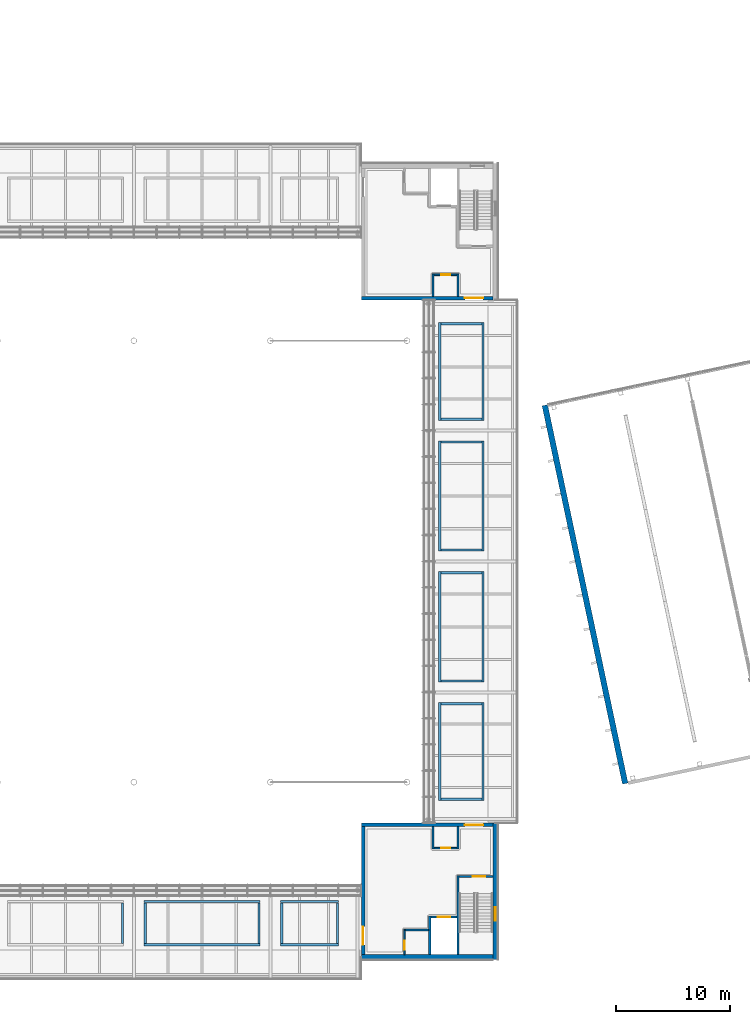
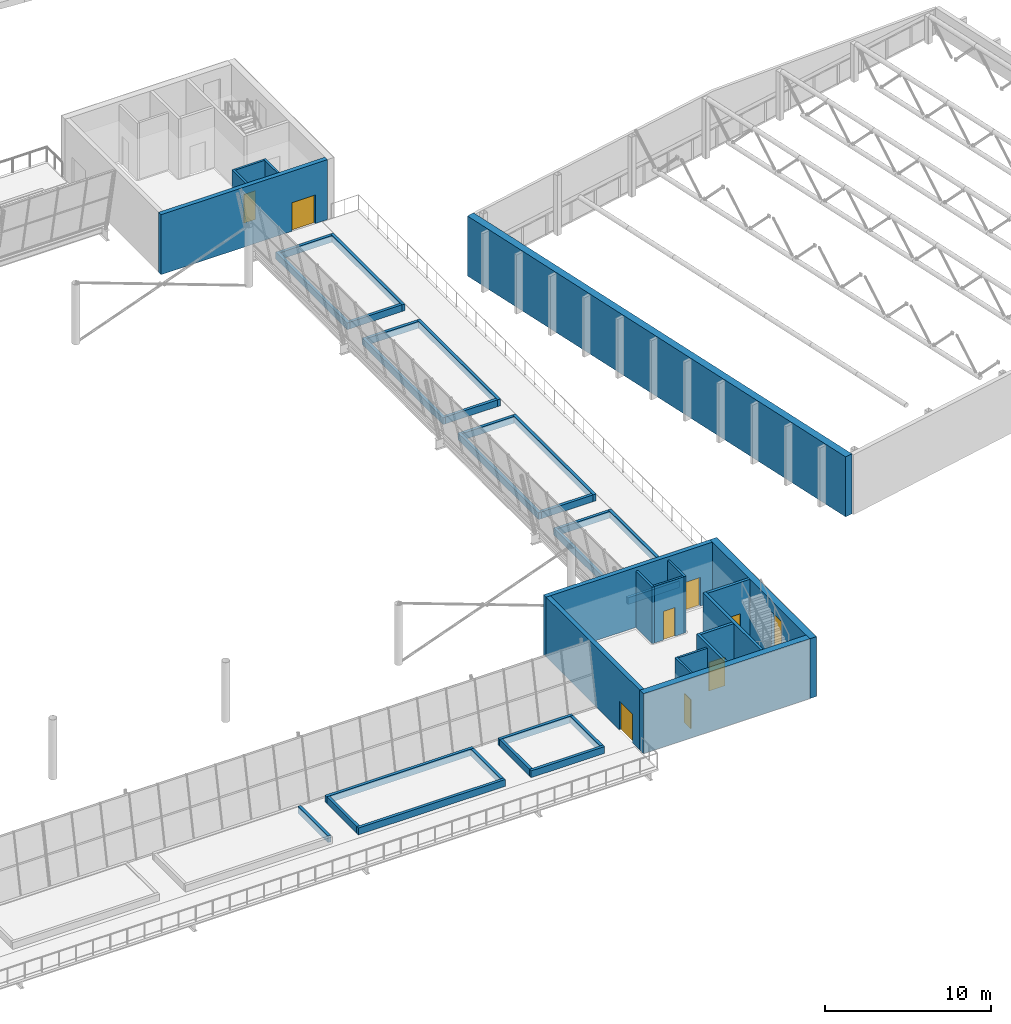
# One storey, part 33 of 58: 43 walls, 8 doors, 1 window, 9 openings.
"""IFC4 building model written with IfcOpenShell, lengths in metres."""

from ifc_helpers import new_model, si_unit, direction, frame, frame_2d, origin, place, context, subcontext, project, spatial, rectangle, extrude, material, layer, layer_set, type_object, element, fill, save


model = new_model("IFC4")

# Units and contexts
model_context = context("Model", 3, precision=1e-05, world=origin(), true_north=direction((0.0, 1.0)))
body_context = subcontext(model_context, "Body", "Model", "MODEL_VIEW")
ifc_project = project(units=[si_unit("LENGTHUNIT", "METRE"), si_unit("AREAUNIT", "SQUARE_METRE"), si_unit("VOLUMEUNIT", "CUBIC_METRE"), si_unit("PLANEANGLEUNIT", "RADIAN"), si_unit("MASSUNIT", "GRAM", prefix="KILO")], contexts=[model_context])

# Site, building, storey
site_placement = place(None, origin())
site = spatial("IfcSite", under=ifc_project, at=site_placement, CompositionType="ELEMENT")
building_placement = place(site_placement, origin())
building = spatial("IfcBuilding", under=site, at=building_placement, Name="Windward Yard Aquatics Centre", CompositionType="ELEMENT")
storey_placement = place(building_placement, frame((0.0, 0.0, 13.800048828125)))
storey = spatial("IfcBuildingStorey", under=building, at=storey_placement, Name="L03", CompositionType="ELEMENT", Elevation=13.800048828125)

# Walls
ifc_material_1 = material(Name="Concrete C35/45", Category="concrete")
ifc_layer_1 = layer(ifc_material_1, 0.5)
ifc_layer_set_1 = layer_set([ifc_layer_1], Name="D tower end wall 500")
wall_type_1 = type_object("IfcWallType", Name="D tower end wall 500", PredefinedType="SOLIDWALL", material=ifc_layer_set_1)
wall_1_placement = place(storey_placement, frame((163.194091796875, 41.47314453125, 0.0), z_axis=(0.0, 0.0, 1.0), x_axis=(-0.20790710573, 0.978148575313, 0.0)))
element("IfcWall", 1, at=wall_1_placement, inside=storey, type_object=wall_type_1, Name="D.W.W.L03", PredefinedType="SOLIDWALL", context=body_context, shape_type="SweptSolid", body=[
    extrude(rectangle(XDim=34.0, YDim=0.5, at=frame_2d((17.0, 0.0))), origin(), (0.0, 0.0, 1.0), 4.39990234375),
])
ifc_layer_2 = layer(ifc_material_1, 0.199951171875)
ifc_layer_set_2 = layer_set([ifc_layer_2], Name="H Enclosure Wall Concrete C35/45 200")
wall_type_2 = type_object("IfcWallType", Name="H Enclosure Wall Concrete C35/45 200", PredefinedType="SOLIDWALL", material=ifc_layer_set_2)
wall_2_placement = place(storey_placement, frame((148.5, 26.449951171875, 0.0), z_axis=(0.0, 0.0, 1.0), x_axis=(0.0, 1.0, 0.0)))
element("IfcWall", 2, at=wall_2_placement, inside=storey, type_object=wall_type_2, Name="L03 W1 enclosure wall SE", PredefinedType="SOLIDWALL", context=body_context, shape_type="SweptSolid", body=[
    extrude(rectangle(XDim=6.949951171875, YDim=0.199951171875, at=frame_2d((3.47509765625, 0.0))), origin(), (0.0, 0.0, 1.0), 4.39990234375),
])

# Wall, opening, door
wall_3_placement = place(storey_placement, frame((151.550048828125, 33.300048828125, 0.0), z_axis=(0.0, 0.0, 1.0), x_axis=(-1.0, 0.0, 0.0)))
wall_3 = element("IfcWall", 3, at=wall_3_placement, inside=storey, type_object=wall_type_2, Name="L03 W2 enclosure wall SE", PredefinedType="SOLIDWALL", context=body_context, shape_type="SweptSolid", body=[
    extrude(rectangle(XDim=2.949951171875, YDim=0.199951171875, at=frame_2d((1.47509765625, 0.0))), origin(), (0.0, 0.0, 1.0), 4.39990234375),
])
opening_1_placement = place(wall_3_placement, frame((0.64990234375, 0.0, 0.0)))
opening_1 = element("IfcOpeningElement", 4, at=opening_1_placement, cuts=wall_3, Name="Opening H3007", PredefinedType="OPENING", context=body_context, shape_type="SweptSolid", body=[
    extrude(rectangle(XDim=1.10009765625, YDim=2.10009765625, at=frame_2d((0.550048828125, 1.050048828125))), frame((0.0, 0.10986328125, 0.0), z_axis=(0.0, -1.0, 0.0), x_axis=(1.0, 0.0, 0.0)), (0.0, 0.0, 1.0), 0.219970703125),
])
ifc_material_2 = material(Name="Steel and timber door leaf", Category="steel")
door_type_1 = type_object("IfcDoorType", Name="H Door Single 1100 x 2100 FD60", OperationType="NOTDEFINED", PredefinedType="DOOR", material=ifc_material_2)
door_1_placement = place(opening_1_placement, origin())
door_1 = element("IfcDoor", 5, at=door_1_placement, inside=storey, type_object=door_type_1, Name="L03 stair SE door", OperationType="SINGLE_SWING_LEFT", OverallHeight=2.10009765625, OverallWidth=1.10009765625, PredefinedType="DOOR", context=body_context, shape_type="SweptSolid", body=[
    extrude(rectangle(XDim=1.10009765625, YDim=2.10009765625, at=frame_2d((0.550048828125, 1.050048828125))), frame((0.0, 0.02490234375, 0.0), z_axis=(0.0, -1.0, 0.0), x_axis=(1.0, 0.0, 0.0)), (0.0, 0.0, 1.0), 0.050048828125),
])
fill(opening_1, door_1)

# Wall
wall_4_placement = place(storey_placement, frame((146.0, 26.449951171875, 0.0), z_axis=(0.0, 0.0, 1.0), x_axis=(0.0, 1.0, 0.0)))
element("IfcWall", 6, at=wall_4_placement, inside=storey, type_object=wall_type_2, Name="L03 W3 enclosure wall SE", PredefinedType="SOLIDWALL", context=body_context, shape_type="SweptSolid", body=[
    extrude(rectangle(XDim=3.400146484375, YDim=0.199951171875, at=frame_2d((1.7001953125, 0.0))), origin(), (0.0, 0.0, 1.0), 4.39990234375),
])

# Wall, opening, door
wall_5_placement = place(storey_placement, frame((148.39990234375, 29.75, 0.0), z_axis=(0.0, 0.0, 1.0), x_axis=(-1.0, 0.0, 0.0)))
wall_5 = element("IfcWall", 7, at=wall_5_placement, inside=storey, type_object=wall_type_2, Name="L03 W4 enclosure wall SE", PredefinedType="SOLIDWALL", context=body_context, shape_type="SweptSolid", body=[
    extrude(rectangle(XDim=2.2998046875, YDim=0.199951171875, at=frame_2d((1.14990234375, 0.0))), origin(), (0.0, 0.0, 1.0), 4.39990234375),
])
opening_2_placement = place(wall_5_placement, frame((0.60009765625, 0.0, 0.0)))
opening_2 = element("IfcOpeningElement", 8, at=opening_2_placement, cuts=wall_5, Name="Opening H3008", PredefinedType="OPENING", context=body_context, shape_type="SweptSolid", body=[
    extrude(rectangle(XDim=1.10009765625, YDim=2.10009765625, at=frame_2d((0.550048828125, 1.050048828125))), frame((0.0, 0.10986328125, 0.0), z_axis=(0.0, -1.0, 0.0), x_axis=(1.0, 0.0, 0.0)), (0.0, 0.0, 1.0), 0.219970703125),
])
ifc_material_3 = material(Name="Stainless steel 1.4301", Category="steel")
door_type_2 = type_object("IfcDoorType", Name="H Lift Landing Door 1100 x 2100", OperationType="DOUBLE_DOOR_SLIDING", PredefinedType="DOOR", material=ifc_material_3)
door_2_placement = place(opening_2_placement, origin())
door_2 = element("IfcDoor", 9, at=door_2_placement, inside=storey, type_object=door_type_2, Name="Lift SE landing door L03", OperationType="DOUBLE_DOOR_SLIDING", OverallHeight=2.10009765625, OverallWidth=1.10009765625, PredefinedType="DOOR", context=body_context, shape_type="SweptSolid", body=[
    extrude(rectangle(XDim=1.10009765625, YDim=2.10009765625, at=frame_2d((0.550048828125, 1.050048828125))), frame((0.0, 0.02490234375, 0.0), z_axis=(0.0, -1.0, 0.0), x_axis=(1.0, 0.0, 0.0)), (0.0, 0.0, 1.0), 0.050048828125),
])
fill(opening_2, door_2)

# Wall
ifc_material_4 = material(Name="Blockwork 150 mm", Category="masonry")
ifc_layer_3 = layer(ifc_material_4, 0.14990234375)
ifc_layer_set_3 = layer_set([ifc_layer_3], Name="H Partition Blockwork 150")
wall_type_3 = type_object("IfcWallType", Name="H Partition Blockwork 150", PredefinedType="PARTITIONING", material=ifc_layer_set_3)
wall_6_placement = place(storey_placement, frame((145.89990234375, 28.60009765625, 0.0), z_axis=(0.0, 0.0, 1.0), x_axis=(-1.0, 0.0, 0.0)))
element("IfcWall", 10, at=wall_6_placement, inside=storey, type_object=wall_type_3, Name="L03 R1N riser wall SE", PredefinedType="PARTITIONING", context=body_context, shape_type="SweptSolid", body=[
    extrude(rectangle(XDim=2.02490234375, YDim=0.14990234375, at=frame_2d((1.012451171875, 0.0))), origin(), (0.0, 0.0, 1.0), 4.14990234375),
])

# Wall, opening, door
wall_7_placement = place(storey_placement, frame((143.800048828125, 26.449951171875, 0.0), z_axis=(0.0, 0.0, 1.0), x_axis=(0.0, 1.0, 0.0)))
wall_7 = element("IfcWall", 11, at=wall_7_placement, inside=storey, type_object=wall_type_3, Name="L03 R1E riser wall SE", PredefinedType="PARTITIONING", context=body_context, shape_type="SweptSolid", body=[
    extrude(rectangle(XDim=2.22509765625, YDim=0.14990234375, at=frame_2d((1.112548828125, 0.0))), origin(), (0.0, 0.0, 1.0), 4.14990234375),
])
opening_3_placement = place(wall_7_placement, frame((0.39990234375, 0.0, 0.0)))
opening_3 = element("IfcOpeningElement", 12, at=opening_3_placement, cuts=wall_7, Name="Opening H3009", PredefinedType="OPENING", context=body_context, shape_type="SweptSolid", body=[
    extrude(rectangle(XDim=0.800048828125, YDim=2.10009765625, at=frame_2d((0.39990234375, 1.050048828125))), frame((0.0, 0.0849609375, 0.0), z_axis=(0.0, -1.0, 0.0), x_axis=(1.0, 0.0, 0.0)), (0.0, 0.0, 1.0), 0.169921875),
])
door_type_3 = type_object("IfcDoorType", Name="H Door Riser 800 x 2100 FD60", OperationType="NOTDEFINED", PredefinedType="DOOR", material=ifc_material_2)
door_3_placement = place(opening_3_placement, origin())
door_3 = element("IfcDoor", 13, at=door_3_placement, inside=storey, type_object=door_type_3, Name="L03 electrical riser SE door", OperationType="SINGLE_SWING_RIGHT", OverallHeight=2.10009765625, OverallWidth=0.800048828125, PredefinedType="DOOR", context=body_context, shape_type="SweptSolid", body=[
    extrude(rectangle(XDim=0.800048828125, YDim=2.10009765625, at=frame_2d((0.39990234375, 1.050048828125))), frame((0.0, 0.02490234375, 0.0), z_axis=(0.0, -1.0, 0.0), x_axis=(1.0, 0.0, 0.0)), (0.0, 0.0, 1.0), 0.050048828125),
])
fill(opening_3, door_3)

wall_8_placement = place(storey_placement, frame((148.425048828125, 35.800048828125, 0.0), z_axis=(0.0, 0.0, 1.0), x_axis=(-1.0, 0.0, 0.0)))
wall_8 = element("IfcWall", 14, at=wall_8_placement, inside=storey, type_object=wall_type_3, Name="L03 R2S riser wall SE", PredefinedType="PARTITIONING", context=body_context, shape_type="SweptSolid", body=[
    extrude(rectangle(XDim=2.050048828125, YDim=0.14990234375, at=frame_2d((1.02490234375, 0.0))), origin(), (0.0, 0.0, 1.0), 4.14990234375),
])
opening_4_placement = place(wall_8_placement, frame((0.625, 0.0, 0.0)))
opening_4 = element("IfcOpeningElement", 15, at=opening_4_placement, cuts=wall_8, Name="Opening H3010", PredefinedType="OPENING", context=body_context, shape_type="SweptSolid", body=[
    extrude(rectangle(XDim=0.800048828125, YDim=2.10009765625, at=frame_2d((0.39990234375, 1.050048828125))), frame((0.0, 0.0849609375, 0.0), z_axis=(0.0, -1.0, 0.0), x_axis=(1.0, 0.0, 0.0)), (0.0, 0.0, 1.0), 0.169921875),
])
door_4_placement = place(opening_4_placement, origin())
door_4 = element("IfcDoor", 16, at=door_4_placement, inside=storey, type_object=door_type_3, Name="L03 communications riser SE door", OperationType="SINGLE_SWING_LEFT", OverallHeight=2.10009765625, OverallWidth=0.800048828125, PredefinedType="DOOR", context=body_context, shape_type="SweptSolid", body=[
    extrude(rectangle(XDim=0.800048828125, YDim=2.10009765625, at=frame_2d((0.39990234375, 1.050048828125))), frame((0.0, 0.02490234375, 0.0), z_axis=(0.0, -1.0, 0.0), x_axis=(1.0, 0.0, 0.0)), (0.0, 0.0, 1.0), 0.050048828125),
])
fill(opening_4, door_4)

# Walls
for number, where, z_axis, x_axis, name in (
    (17, (148.5, 35.72509765625, 0.0), (0.0, 0.0, 1.0), (0.0, 1.0, 0.0), "L03 R2W riser wall SE"),
    (18, (146.300048828125, 35.72509765625, 0.0), (0.0, 0.0, 1.0), (0.0, 1.0, 0.0), "L03 R2E riser wall SE"),
):
    element("IfcWall", number, at=place(storey_placement, frame(where, z_axis=z_axis, x_axis=x_axis)), inside=storey, type_object=wall_type_3, Name=name, PredefinedType="PARTITIONING", context=body_context, shape_type="SweptSolid", body=[
        extrude(rectangle(XDim=1.974853515625, YDim=0.14990234375, at=frame_2d((0.9873046875, 0.0))), origin(), (0.0, 0.0, 1.0), 4.14990234375),
    ])

# Wall, opening, door
wall_9_placement = place(storey_placement, frame((148.425048828125, 86.199951171875, 0.0), z_axis=(0.0, 0.0, 1.0), x_axis=(-1.0, 0.0, 0.0)))
wall_9 = element("IfcWall", 19, at=wall_9_placement, inside=storey, type_object=wall_type_3, Name="L03 R2S riser wall NE", PredefinedType="PARTITIONING", context=body_context, shape_type="SweptSolid", body=[
    extrude(rectangle(XDim=2.050048828125, YDim=0.14990234375, at=frame_2d((1.02490234375, 0.0))), origin(), (0.0, 0.0, 1.0), 4.14990234375),
])
opening_5_placement = place(wall_9_placement, frame((0.625, 0.0, 0.0)))
opening_5 = element("IfcOpeningElement", 20, at=opening_5_placement, cuts=wall_9, Name="Opening H3022", PredefinedType="OPENING", context=body_context, shape_type="SweptSolid", body=[
    extrude(rectangle(XDim=0.800048828125, YDim=2.10009765625, at=frame_2d((0.39990234375, 1.050048828125))), frame((0.0, 0.0849609375, 0.0), z_axis=(0.0, -1.0, 0.0), x_axis=(1.0, 0.0, 0.0)), (0.0, 0.0, 1.0), 0.169921875),
])
door_5_placement = place(opening_5_placement, origin())
door_5 = element("IfcDoor", 21, at=door_5_placement, inside=storey, type_object=door_type_3, Name="L03 communications riser NE door", OperationType="SINGLE_SWING_RIGHT", OverallHeight=2.10009765625, OverallWidth=0.800048828125, PredefinedType="DOOR", context=body_context, shape_type="SweptSolid", body=[
    extrude(rectangle(XDim=0.800048828125, YDim=2.10009765625, at=frame_2d((0.39990234375, 1.050048828125))), frame((0.0, 0.02490234375, 0.0), z_axis=(0.0, -1.0, 0.0), x_axis=(1.0, 0.0, 0.0)), (0.0, 0.0, 1.0), 0.050048828125),
])
fill(opening_5, door_5)

# Walls
for number, where, z_axis, x_axis, name in (
    (22, (148.5, 86.27490234375, 0.0), (0.0, 0.0, 1.0), (0.0, -1.0, 0.0), "L03 R2W riser wall NE"),
    (23, (146.300048828125, 86.27490234375, 0.0), (0.0, 0.0, 1.0), (0.0, -1.0, 0.0), "L03 R2E riser wall NE"),
):
    element("IfcWall", number, at=place(storey_placement, frame(where, z_axis=z_axis, x_axis=x_axis)), inside=storey, type_object=wall_type_3, Name=name, PredefinedType="PARTITIONING", context=body_context, shape_type="SweptSolid", body=[
        extrude(rectangle(XDim=1.974853515625, YDim=0.14990234375, at=frame_2d((0.9873046875, 0.0))), origin(), (0.0, 0.0, 1.0), 4.14990234375),
    ])
ifc_layer_4 = layer(ifc_material_1, 0.199951171875)
ifc_layer_set_4 = layer_set([ifc_layer_4], Name="H planter kerb wall 200 C35/45")
wall_type_4 = type_object("IfcWallType", Name="H planter kerb wall 200 C35/45", PredefinedType="PARAPET", material=ifc_layer_set_4)
wall_10_placement = place(storey_placement, frame((119.0, 27.39990234375, 0.0), z_axis=(0.0, 0.0, 1.0), x_axis=(0.0, 1.0, 0.0)))
element("IfcWall", 24, at=wall_10_placement, inside=storey, type_object=wall_type_4, Name="Planting bed T1 S5 kerb E", PredefinedType="PARAPET", context=body_context, shape_type="SweptSolid", body=[
    extrude(rectangle(XDim=3.60009765625, YDim=0.199951171875, at=frame_2d((1.800048828125, 0.0))), origin(), (0.0, 0.0, 1.0), 0.5),
])
for number, where, z_axis, x_axis, name in (
    (25, (120.89990234375, 27.300048828125, 0.0), (0.0, 0.0, 1.0), (1.0, 0.0, 0.0), "Planting bed T1 S6 kerb S"),
    (26, (120.89990234375, 31.10009765625, 0.0), (0.0, 0.0, 1.0), (1.0, 0.0, 0.0), "Planting bed T1 S6 kerb N"),
):
    element("IfcWall", number, at=place(storey_placement, frame(where, z_axis=z_axis, x_axis=x_axis)), inside=storey, type_object=wall_type_4, Name=name, PredefinedType="PARAPET", context=body_context, shape_type="SweptSolid", body=[
        extrude(rectangle(XDim=10.2001953125, YDim=0.199951171875, at=frame_2d((5.10009765625, 0.0))), origin(), (0.0, 0.0, 1.0), 0.5),
    ])
for number, where, z_axis, x_axis, name in (
    (27, (121.0, 27.39990234375, 0.0), (0.0, 0.0, 1.0), (0.0, 1.0, 0.0), "Planting bed T1 S6 kerb W"),
    (28, (131.0, 27.39990234375, 0.0), (0.0, 0.0, 1.0), (0.0, 1.0, 0.0), "Planting bed T1 S6 kerb E"),
):
    element("IfcWall", number, at=place(storey_placement, frame(where, z_axis=z_axis, x_axis=x_axis)), inside=storey, type_object=wall_type_4, Name=name, PredefinedType="PARAPET", context=body_context, shape_type="SweptSolid", body=[
        extrude(rectangle(XDim=3.60009765625, YDim=0.199951171875, at=frame_2d((1.800048828125, 0.0))), origin(), (0.0, 0.0, 1.0), 0.5),
    ])
for number, where, z_axis, x_axis, name in (
    (29, (132.89990234375, 27.300048828125, 0.0), (0.0, 0.0, 1.0), (1.0, 0.0, 0.0), "Planting bed T1 S7 kerb S"),
    (30, (132.89990234375, 31.10009765625, 0.0), (0.0, 0.0, 1.0), (1.0, 0.0, 0.0), "Planting bed T1 S7 kerb N"),
):
    element("IfcWall", number, at=place(storey_placement, frame(where, z_axis=z_axis, x_axis=x_axis)), inside=storey, type_object=wall_type_4, Name=name, PredefinedType="PARAPET", context=body_context, shape_type="SweptSolid", body=[
        extrude(rectangle(XDim=5.10009765625, YDim=0.199951171875, at=frame_2d((2.550048828125, 0.0))), origin(), (0.0, 0.0, 1.0), 0.5),
    ])
for number, where, z_axis, x_axis, name in (
    (31, (133.0, 27.39990234375, 0.0), (0.0, 0.0, 1.0), (0.0, 1.0, 0.0), "Planting bed T1 S7 kerb W"),
    (32, (137.89990234375, 27.39990234375, 0.0), (0.0, 0.0, 1.0), (0.0, 1.0, 0.0), "Planting bed T1 S7 kerb E"),
):
    element("IfcWall", number, at=place(storey_placement, frame(where, z_axis=z_axis, x_axis=x_axis)), inside=storey, type_object=wall_type_4, Name=name, PredefinedType="PARAPET", context=body_context, shape_type="SweptSolid", body=[
        extrude(rectangle(XDim=3.60009765625, YDim=0.199951171875, at=frame_2d((1.800048828125, 0.0))), origin(), (0.0, 0.0, 1.0), 0.5),
    ])
for number, where, z_axis, x_axis, name in (
    (33, (150.699951171875, 40.0, 0.0), (0.0, 0.0, 1.0), (0.0, 1.0, 0.0), "Planting bed T1 E1 kerb S"),
    (34, (146.89990234375, 40.0, 0.0), (0.0, 0.0, 1.0), (0.0, 1.0, 0.0), "Planting bed T1 E1 kerb N"),
):
    element("IfcWall", number, at=place(storey_placement, frame(where, z_axis=z_axis, x_axis=x_axis)), inside=storey, type_object=wall_type_4, Name=name, PredefinedType="PARAPET", context=body_context, shape_type="SweptSolid", body=[
        extrude(rectangle(XDim=8.60009765625, YDim=0.199951171875, at=frame_2d((4.300048828125, 0.0))), origin(), (0.0, 0.0, 1.0), 0.5),
    ])
for number, where, z_axis, x_axis, name in (
    (35, (150.60009765625, 40.10009765625, 0.0), (0.0, 0.0, 1.0), (-1.0, 0.0, 0.0), "Planting bed T1 E1 kerb W"),
    (36, (150.60009765625, 48.5, 0.0), (0.0, 0.0, 1.0), (-1.0, 0.0, 0.0), "Planting bed T1 E1 kerb E"),
):
    element("IfcWall", number, at=place(storey_placement, frame(where, z_axis=z_axis, x_axis=x_axis)), inside=storey, type_object=wall_type_4, Name=name, PredefinedType="PARAPET", context=body_context, shape_type="SweptSolid", body=[
        extrude(rectangle(XDim=3.60009765625, YDim=0.199951171875, at=frame_2d((1.800048828125, 0.0))), origin(), (0.0, 0.0, 1.0), 0.5),
    ])
for number, where, z_axis, x_axis, name in (
    (37, (150.699951171875, 50.39990234375, 0.0), (0.0, 0.0, 1.0), (0.0, 1.0, 0.0), "Planting bed T1 E2 kerb S"),
    (38, (146.89990234375, 50.39990234375, 0.0), (0.0, 0.0, 1.0), (0.0, 1.0, 0.0), "Planting bed T1 E2 kerb N"),
):
    element("IfcWall", number, at=place(storey_placement, frame(where, z_axis=z_axis, x_axis=x_axis)), inside=storey, type_object=wall_type_4, Name=name, PredefinedType="PARAPET", context=body_context, shape_type="SweptSolid", body=[
        extrude(rectangle(XDim=9.7001953125, YDim=0.199951171875, at=frame_2d((4.85009765625, 0.0))), origin(), (0.0, 0.0, 1.0), 0.5),
    ])
for number, where, z_axis, x_axis, name in (
    (39, (150.60009765625, 50.5, 0.0), (0.0, 0.0, 1.0), (-1.0, 0.0, 0.0), "Planting bed T1 E2 kerb W"),
    (40, (150.60009765625, 60.0, 0.0), (0.0, 0.0, 1.0), (-1.0, 0.0, 0.0), "Planting bed T1 E2 kerb E"),
):
    element("IfcWall", number, at=place(storey_placement, frame(where, z_axis=z_axis, x_axis=x_axis)), inside=storey, type_object=wall_type_4, Name=name, PredefinedType="PARAPET", context=body_context, shape_type="SweptSolid", body=[
        extrude(rectangle(XDim=3.60009765625, YDim=0.199951171875, at=frame_2d((1.800048828125, 0.0))), origin(), (0.0, 0.0, 1.0), 0.5),
    ])
for number, where, z_axis, x_axis, name in (
    (41, (150.699951171875, 61.89990234375, 0.0), (0.0, 0.0, 1.0), (0.0, 1.0, 0.0), "Planting bed T1 E3 kerb S"),
    (42, (146.89990234375, 61.89990234375, 0.0), (0.0, 0.0, 1.0), (0.0, 1.0, 0.0), "Planting bed T1 E3 kerb N"),
):
    element("IfcWall", number, at=place(storey_placement, frame(where, z_axis=z_axis, x_axis=x_axis)), inside=storey, type_object=wall_type_4, Name=name, PredefinedType="PARAPET", context=body_context, shape_type="SweptSolid", body=[
        extrude(rectangle(XDim=9.7001953125, YDim=0.199951171875, at=frame_2d((4.85009765625, 0.0))), origin(), (0.0, 0.0, 1.0), 0.5),
    ])
for number, where, z_axis, x_axis, name in (
    (43, (150.60009765625, 62.0, 0.0), (0.0, 0.0, 1.0), (-1.0, 0.0, 0.0), "Planting bed T1 E3 kerb W"),
    (44, (150.60009765625, 71.5, 0.0), (0.0, 0.0, 1.0), (-1.0, 0.0, 0.0), "Planting bed T1 E3 kerb E"),
):
    element("IfcWall", number, at=place(storey_placement, frame(where, z_axis=z_axis, x_axis=x_axis)), inside=storey, type_object=wall_type_4, Name=name, PredefinedType="PARAPET", context=body_context, shape_type="SweptSolid", body=[
        extrude(rectangle(XDim=3.60009765625, YDim=0.199951171875, at=frame_2d((1.800048828125, 0.0))), origin(), (0.0, 0.0, 1.0), 0.5),
    ])
for number, where, z_axis, x_axis, name in (
    (45, (150.699951171875, 73.39990234375, 0.0), (0.0, 0.0, 1.0), (0.0, 1.0, 0.0), "Planting bed T1 E4 kerb S"),
    (46, (146.89990234375, 73.39990234375, 0.0), (0.0, 0.0, 1.0), (0.0, 1.0, 0.0), "Planting bed T1 E4 kerb N"),
):
    element("IfcWall", number, at=place(storey_placement, frame(where, z_axis=z_axis, x_axis=x_axis)), inside=storey, type_object=wall_type_4, Name=name, PredefinedType="PARAPET", context=body_context, shape_type="SweptSolid", body=[
        extrude(rectangle(XDim=8.60009765625, YDim=0.199951171875, at=frame_2d((4.300048828125, 0.0))), origin(), (0.0, 0.0, 1.0), 0.5),
    ])
for number, where, z_axis, x_axis, name in (
    (47, (150.60009765625, 73.5, 0.0), (0.0, 0.0, 1.0), (-1.0, 0.0, 0.0), "Planting bed T1 E4 kerb W"),
    (48, (150.60009765625, 81.89990234375, 0.0), (0.0, 0.0, 1.0), (-1.0, 0.0, 0.0), "Planting bed T1 E4 kerb E"),
):
    element("IfcWall", number, at=place(storey_placement, frame(where, z_axis=z_axis, x_axis=x_axis)), inside=storey, type_object=wall_type_4, Name=name, PredefinedType="PARAPET", context=body_context, shape_type="SweptSolid", body=[
        extrude(rectangle(XDim=3.60009765625, YDim=0.199951171875, at=frame_2d((1.800048828125, 0.0))), origin(), (0.0, 0.0, 1.0), 0.5),
    ])

# Wall, opening, window
ifc_material_5 = material(Name="Natural stone cladding", Category="masonry")
ifc_layer_5 = layer(ifc_material_5, 0.04, Name="Cladding")
ifc_material_6 = material(Name="Ventilated air cavity")
ifc_layer_6 = layer(ifc_material_6, 0.05, ventilated=True, Name="Ventilated cavity")
ifc_material_7 = material(Name="Mineral wool insulation")
ifc_layer_7 = layer(ifc_material_7, 0.08, Name="Insulation")
ifc_layer_8 = layer(ifc_material_1, 0.28, Name="Structure")
ifc_layer_set_5 = layer_set([ifc_layer_5, ifc_layer_6, ifc_layer_7, ifc_layer_8], Name="H plinth wall stone faced 450 C35/45")
wall_type_5 = type_object("IfcWallType", Name="H plinth wall stone faced 450 C35/45", PredefinedType="ELEMENTEDWALL", material=ifc_layer_set_5)
wall_11_placement = place(storey_placement, frame((151.77490234375, 26.0, 0.0), z_axis=(0.0, 0.0, 1.0), x_axis=(0.0, 1.0, 0.0)))
wall_11 = element("IfcWall", 49, at=wall_11_placement, inside=storey, type_object=wall_type_5, Name="H.CW.SE.E.L03", PredefinedType="ELEMENTEDWALL", context=body_context, shape_type="SweptSolid", body=[
    extrude(rectangle(XDim=12.0, YDim=0.449951171875, at=frame_2d((6.0, 0.0))), origin(), (0.0, 0.0, 1.0), 4.39990234375),
])
opening_6_placement = place(wall_11_placement, frame((3.39990234375, 0.0, 0.60009765625)))
opening_6 = element("IfcOpeningElement", 50, at=opening_6_placement, cuts=wall_11, Name="Opening W3024", PredefinedType="OPENING", context=body_context, shape_type="SweptSolid", body=[
    extrude(rectangle(XDim=1.199951171875, YDim=3.0, at=frame_2d((0.60009765625, 1.5))), frame((0.0, 0.23486328125, 0.0), z_axis=(0.0, -1.0, 0.0), x_axis=(1.0, 0.0, 0.0)), (0.0, 0.0, 1.0), 0.469970703125),
])
ifc_material_8 = material(Name="Fire-resisting glazing in steel frame", Category="steel")
window_type = type_object("IfcWindowType", Name="H Core Stair Window 1200 x 3000 EI 60", PartitioningType="SINGLE_PANEL", PredefinedType="WINDOW", material=ifc_material_8)
window_placement = place(opening_6_placement, origin())
window = element("IfcWindow", 51, at=window_placement, inside=storey, type_object=window_type, Name="L03 core SE stair window", OverallHeight=3.0, OverallWidth=1.199951171875, PartitioningType="SINGLE_PANEL", PredefinedType="WINDOW", context=body_context, shape_type="SweptSolid", body=[
    extrude(rectangle(XDim=1.199951171875, YDim=3.0, at=frame_2d((0.60009765625, 1.5))), frame((0.0, 0.030029296875, 0.0), z_axis=(0.0, -1.0, 0.0), x_axis=(1.0, 0.0, 0.0)), (0.0, 0.0, 1.0), 0.06005859375),
])
fill(opening_6, window)

# Wall
wall_12_placement = place(storey_placement, frame((151.550048828125, 26.22509765625, 0.0), z_axis=(0.0, 0.0, 1.0), x_axis=(-1.0, 0.0, 0.0)))
element("IfcWall", 52, at=wall_12_placement, inside=storey, type_object=wall_type_5, Name="H.CW.SE.S.L03", PredefinedType="ELEMENTEDWALL", context=body_context, shape_type="SweptSolid", body=[
    extrude(rectangle(XDim=11.550048828125, YDim=0.449951171875, at=frame_2d((5.77490234375, 0.0))), origin(), (0.0, 0.0, 1.0), 4.39990234375),
])

# Wall, opening, door
ifc_layer_9 = layer(ifc_material_1, 0.300048828125)
ifc_layer_set_6 = layer_set([ifc_layer_9], Name="H rear wall 300 C35/45")
wall_type_6 = type_object("IfcWallType", Name="H rear wall 300 C35/45", PredefinedType="SOLIDWALL", material=ifc_layer_set_6)
wall_13_placement = place(storey_placement, frame((140.14990234375, 26.449951171875, 0.0), z_axis=(0.0, 0.0, 1.0), x_axis=(0.0, 1.0, 0.0)))
wall_13 = element("IfcWall", 53, at=wall_13_placement, inside=storey, type_object=wall_type_6, Name="H.CW.SE.W.L03", PredefinedType="SOLIDWALL", context=body_context, shape_type="SweptSolid", body=[
    extrude(rectangle(XDim=11.25, YDim=0.300048828125, at=frame_2d((5.625, 0.0))), origin(), (0.0, 0.0, 1.0), 4.39990234375),
])
opening_7_placement = place(wall_13_placement, frame((0.85009765625, 0.0, 0.0)))
opening_7 = element("IfcOpeningElement", 54, at=opening_7_placement, cuts=wall_13, Name="Opening H3011", PredefinedType="OPENING", context=body_context, shape_type="SweptSolid", body=[
    extrude(rectangle(XDim=1.60009765625, YDim=2.10009765625, at=frame_2d((0.800048828125, 1.050048828125))), frame((0.0, 0.16015625, 0.0), z_axis=(0.0, -1.0, 0.0), x_axis=(1.0, 0.0, 0.0)), (0.0, 0.0, 1.0), 0.320068359375),
])
door_type_4 = type_object("IfcDoorType", Name="H Door Double 1600 x 2100 FD60", OperationType="DOUBLE_DOOR_SINGLE_SWING", PredefinedType="DOOR", material=ifc_material_2)
door_6_placement = place(opening_7_placement, origin())
door_6 = element("IfcDoor", 55, at=door_6_placement, inside=storey, type_object=door_type_4, Name="L03 core SE door to strip", OperationType="DOUBLE_DOOR_SINGLE_SWING", OverallHeight=2.10009765625, OverallWidth=1.60009765625, PredefinedType="DOOR", context=body_context, shape_type="SweptSolid", body=[
    extrude(rectangle(XDim=1.60009765625, YDim=2.10009765625, at=frame_2d((0.800048828125, 1.050048828125))), frame((0.0, 0.02490234375, 0.0), z_axis=(0.0, -1.0, 0.0), x_axis=(1.0, 0.0, 0.0)), (0.0, 0.0, 1.0), 0.050048828125),
])
fill(opening_7, door_6)

wall_14_placement = place(storey_placement, frame((151.550048828125, 37.85009765625, 0.0), z_axis=(0.0, 0.0, 1.0), x_axis=(-1.0, 0.0, 0.0)))
wall_14 = element("IfcWall", 56, at=wall_14_placement, inside=storey, type_object=wall_type_6, Name="H.CW.SE.N.L03", PredefinedType="SOLIDWALL", context=body_context, shape_type="SweptSolid", body=[
    extrude(rectangle(XDim=11.550048828125, YDim=0.300048828125, at=frame_2d((5.77490234375, 0.0))), origin(), (0.0, 0.0, 1.0), 4.39990234375),
])
opening_8_placement = place(wall_14_placement, frame((0.85009765625, 0.0, 0.0)))
opening_8 = element("IfcOpeningElement", 57, at=opening_8_placement, cuts=wall_14, Name="Opening H3012", PredefinedType="OPENING", context=body_context, shape_type="SweptSolid", body=[
    extrude(rectangle(XDim=1.60009765625, YDim=2.10009765625, at=frame_2d((0.800048828125, 1.050048828125))), frame((0.0, 0.16015625, 0.0), z_axis=(0.0, -1.0, 0.0), x_axis=(1.0, 0.0, 0.0)), (0.0, 0.0, 1.0), 0.320068359375),
])
door_7_placement = place(opening_8_placement, origin())
door_7 = element("IfcDoor", 58, at=door_7_placement, inside=storey, type_object=door_type_4, Name="L03 core SE door to gable", OperationType="DOUBLE_DOOR_SINGLE_SWING", OverallHeight=2.10009765625, OverallWidth=1.60009765625, PredefinedType="DOOR", context=body_context, shape_type="SweptSolid", body=[
    extrude(rectangle(XDim=1.60009765625, YDim=2.10009765625, at=frame_2d((0.800048828125, 1.050048828125))), frame((0.0, 0.02490234375, 0.0), z_axis=(0.0, -1.0, 0.0), x_axis=(1.0, 0.0, 0.0)), (0.0, 0.0, 1.0), 0.050048828125),
])
fill(opening_8, door_7)

wall_15_placement = place(storey_placement, frame((151.550048828125, 84.14990234375, 0.0), z_axis=(0.0, 0.0, 1.0), x_axis=(-1.0, 0.0, 0.0)))
wall_15 = element("IfcWall", 59, at=wall_15_placement, inside=storey, type_object=wall_type_6, Name="H.CW.NE.S.L03", PredefinedType="SOLIDWALL", context=body_context, shape_type="SweptSolid", body=[
    extrude(rectangle(XDim=11.550048828125, YDim=0.300048828125, at=frame_2d((5.77490234375, 0.0))), origin(), (0.0, 0.0, 1.0), 4.39990234375),
])
opening_9_placement = place(wall_15_placement, frame((0.85009765625, 0.0, 0.0)))
opening_9 = element("IfcOpeningElement", 60, at=opening_9_placement, cuts=wall_15, Name="Opening H3024", PredefinedType="OPENING", context=body_context, shape_type="SweptSolid", body=[
    extrude(rectangle(XDim=1.60009765625, YDim=2.10009765625, at=frame_2d((0.800048828125, 1.050048828125))), frame((0.0, 0.16015625, 0.0), z_axis=(0.0, -1.0, 0.0), x_axis=(1.0, 0.0, 0.0)), (0.0, 0.0, 1.0), 0.320068359375),
])
door_8_placement = place(opening_9_placement, origin())
door_8 = element("IfcDoor", 61, at=door_8_placement, inside=storey, type_object=door_type_4, Name="L03 core NE door to gable", OperationType="DOUBLE_DOOR_SINGLE_SWING", OverallHeight=2.10009765625, OverallWidth=1.60009765625, PredefinedType="DOOR", context=body_context, shape_type="SweptSolid", body=[
    extrude(rectangle(XDim=1.60009765625, YDim=2.10009765625, at=frame_2d((0.800048828125, 1.050048828125))), frame((0.0, 0.02490234375, 0.0), z_axis=(0.0, -1.0, 0.0), x_axis=(1.0, 0.0, 0.0)), (0.0, 0.0, 1.0), 0.050048828125),
])
fill(opening_9, door_8)

save(model, "model.ifc")
